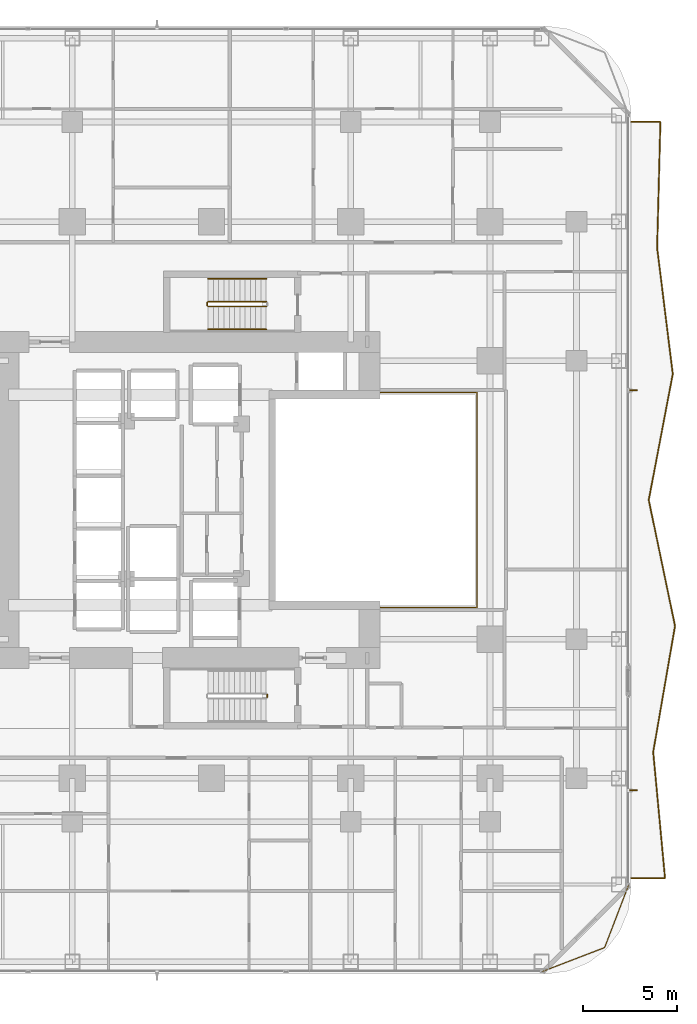
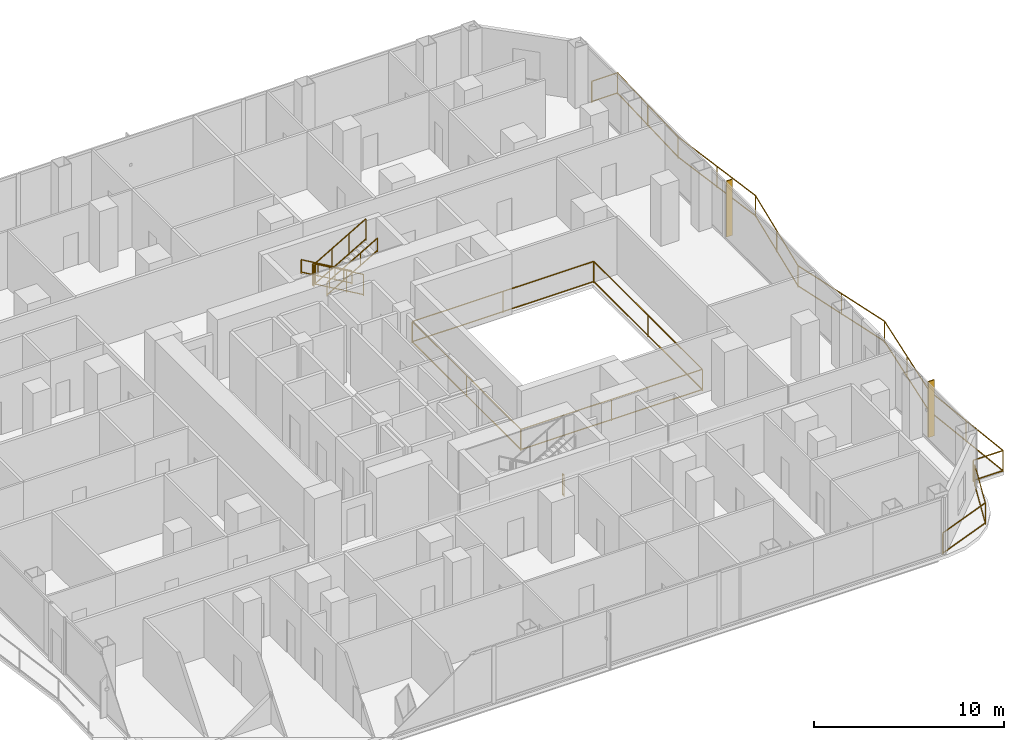
# One storey, part 28 of 30: 9 railings, 2 shading devices.
"""IFC4 building model written with IfcOpenShell, lengths in metres."""

from ifc_helpers import new_model, si_unit, direction, frame, origin, origin_2d, place, context, subcontext, project, spatial, rectangle, extrude, material, layer, layer_set, type_object, element, save


model = new_model("IFC4")

# Units and contexts
model_context = context("Model", 3, precision=1e-05, world=origin(), true_north=direction((0.0, 1.0)))
body_context = subcontext(model_context, "Body", "Model", "MODEL_VIEW")
ifc_project = project(units=[si_unit("LENGTHUNIT", "METRE"), si_unit("AREAUNIT", "SQUARE_METRE"), si_unit("VOLUMEUNIT", "CUBIC_METRE"), si_unit("PLANEANGLEUNIT", "RADIAN"), si_unit("MASSUNIT", "GRAM", prefix="KILO")], contexts=[model_context])

# Site, building, storey
site_placement = place(None, origin())
site = spatial("IfcSite", under=ifc_project, at=site_placement, CompositionType="ELEMENT")
building_placement = place(site_placement, origin())
building = spatial("IfcBuilding", under=site, at=building_placement, Name="Khorvyn Point Tower", CompositionType="ELEMENT")
storey_placement = place(building_placement, frame((0.0, 0.0, 57.89990234375)))
storey = spatial("IfcBuildingStorey", under=building, at=storey_placement, Name="L15", CompositionType="ELEMENT", Elevation=57.89990234375)

# Shading devices
ifc_material_1 = material(Name="Bronze anodised aluminium 6063-T6", Category="aluminium")
ifc_layer = layer(ifc_material_1, 0.06494140625)
ifc_layer_set = layer_set([ifc_layer], Name="Bronze Anodised Aluminium FIN 380x65")
shading_device_type = type_object("IfcShadingDeviceType", Name="Bronze Anodised Aluminium FIN 380x65", PredefinedType="USERDEFINED", material=ifc_layer_set)
for number, where, z_axis, x_axis, name in (
    (1, (22.429931640625, 5.83251953125, 0.0400390625), (0.0, 0.0, 1.0), (1.0, 0.0, 0.0), "L15 Anodised FIN 01"),
    (2, (22.429931640625, -15.4375, 0.0400390625), (0.0, 0.0, 1.0), (1.0, 0.0, 0.0), "L15 Anodised FIN 01"),
):
    element("IfcShadingDevice", number, at=place(storey_placement, frame(where, z_axis=z_axis, x_axis=x_axis)), inside=storey, type_object=shading_device_type, Name=name, ObjectType="FIN", PredefinedType="USERDEFINED", context=body_context, shape_type="SweptSolid", body=[
        extrude(rectangle(XDim=0.3798828125, YDim=0.06494140625, at=origin_2d()), origin(), (0.0, 0.0, 1.0), 3.60009765625),
    ])

# Railings
ifc_material_2 = material(Name="Stainless steel 1.4401 and laminated glass", Category="steel")
railing_type_1 = type_object("IfcRailingType", Name="Crystal Atrium Smoke-Rated Perimeter Guardrail 1400", PredefinedType="GUARDRAIL", material=ifc_material_2)
railing_1_placement = place(storey_placement, frame((3.080078125, -5.719970703125, 0.0)))
element("IfcRailing", 3, at=railing_1_placement, inside=storey, type_object=railing_type_1, Name="L15 Crystal Atrium Perimeter Guardrail", PredefinedType="GUARDRAIL", context=body_context, shape_type="SweptSolid", body=[
    extrude(rectangle(XDim=0.048095703125, YDim=0.048095703125, at=origin_2d()), frame((0.0, 0.0, 1.3759765625), z_axis=(1.0, 0.0, 0.0), x_axis=(0.0, 1.0, 0.0)), (0.0, 0.0, 1.0), 11.0400390625),
    extrude(rectangle(XDim=0.048095703125, YDim=0.048095703125, at=origin_2d()), frame((0.0, 0.0, 0.080078125), z_axis=(1.0, 0.0, 0.0), x_axis=(0.0, 1.0, 0.0)), (0.0, 0.0, 1.0), 11.0400390625),
    extrude(rectangle(XDim=0.048095703125, YDim=0.048095703125, at=origin_2d()), frame((11.0400390625, 0.0, 1.3759765625), z_axis=(0.0, 1.0, 0.0), x_axis=(-1.0, 0.0, 0.0)), (0.0, 0.0, 1.0), 11.43994140625),
    extrude(rectangle(XDim=0.048095703125, YDim=0.048095703125, at=origin_2d()), frame((11.0400390625, 0.0, 0.080078125), z_axis=(0.0, 1.0, 0.0), x_axis=(-1.0, 0.0, 0.0)), (0.0, 0.0, 1.0), 11.43994140625),
    extrude(rectangle(XDim=0.048095703125, YDim=0.048095703125, at=origin_2d()), frame((11.0400390625, 11.43994140625, 1.3759765625), z_axis=(-1.0, 0.0, 0.0), x_axis=(0.0, -1.0, 0.0)), (0.0, 0.0, 1.0), 11.0400390625),
    extrude(rectangle(XDim=0.048095703125, YDim=0.048095703125, at=origin_2d()), frame((11.0400390625, 11.43994140625, 0.080078125), z_axis=(-1.0, 0.0, 0.0), x_axis=(0.0, -1.0, 0.0)), (0.0, 0.0, 1.0), 11.0400390625),
    extrude(rectangle(XDim=0.048095703125, YDim=0.048095703125, at=origin_2d()), frame((0.0, 11.43994140625, 1.3759765625), z_axis=(0.0, -1.0, 0.0), x_axis=(1.0, 0.0, 0.0)), (0.0, 0.0, 1.0), 11.409912109375),
    extrude(rectangle(XDim=0.048095703125, YDim=0.048095703125, at=origin_2d()), frame((0.0, 11.43994140625, 0.080078125), z_axis=(0.0, -1.0, 0.0), x_axis=(1.0, 0.0, 0.0)), (0.0, 0.0, 1.0), 11.409912109375),
    extrude(rectangle(XDim=0.0419921875, YDim=0.0419921875, at=origin_2d()), origin(), (0.0, 0.0, 1.0), 1.351806640625),
    extrude(rectangle(XDim=0.0419921875, YDim=0.0419921875, at=origin_2d()), frame((5.52001953125, 0.0, 0.0)), (0.0, 0.0, 1.0), 1.351806640625),
    extrude(rectangle(XDim=0.0419921875, YDim=0.0419921875, at=origin_2d()), frame((11.0400390625, 0.0, 0.0)), (0.0, 0.0, 1.0), 1.351806640625),
    extrude(rectangle(XDim=0.0419921875, YDim=0.0419921875, at=origin_2d()), frame((11.0400390625, 5.719970703125, 0.0)), (0.0, 0.0, 1.0), 1.351806640625),
    extrude(rectangle(XDim=0.0419921875, YDim=0.0419921875, at=origin_2d()), frame((11.0400390625, 11.43994140625, 0.0)), (0.0, 0.0, 1.0), 1.351806640625),
    extrude(rectangle(XDim=0.0419921875, YDim=0.0419921875, at=origin_2d()), frame((5.52001953125, 11.43994140625, 0.0)), (0.0, 0.0, 1.0), 1.351806640625),
    extrude(rectangle(XDim=0.0419921875, YDim=0.0419921875, at=origin_2d()), frame((0.0, 11.43994140625, 0.0)), (0.0, 0.0, 1.0), 1.351806640625),
    extrude(rectangle(XDim=0.0419921875, YDim=0.0419921875, at=origin_2d()), frame((0.0, 5.73486328125, 0.0)), (0.0, 0.0, 1.0), 1.351806640625),
    extrude(rectangle(XDim=0.0419921875, YDim=0.0419921875, at=origin_2d()), frame((0.0, 0.030029296875, 0.0)), (0.0, 0.0, 1.0), 1.351806640625),
])
ifc_material_3 = material(Name="Anodised aluminium 6063-T6 and laminated safety glass", Category="aluminium")
railing_type_2 = type_object("IfcRailingType", Name="Laminated Glass and Aluminium Balcony Guardrail 1400", PredefinedType="BALUSTRADE", material=ifc_material_3)
railing_2_placement = place(storey_placement, frame((17.57080078125, -25.073974609375, 0.0)))
element("IfcRailing", 4, at=railing_2_placement, inside=storey, type_object=railing_type_2, Name="L15 Rounded Corner Edge Guardrail SE", PredefinedType="BALUSTRADE", context=body_context, shape_type="SweptSolid", body=[
    extrude(rectangle(XDim=0.048095703125, YDim=0.048095703125, at=origin_2d()), frame((0.0, 0.0, 1.3759765625), z_axis=(0.933583807283, 0.358359142172, 0.0), x_axis=(-0.358359142172, 0.933583807283, 0.0)), (0.0, 0.0, 1.0), 3.56298828125),
    extrude(rectangle(XDim=0.048095703125, YDim=0.048095703125, at=origin_2d()), frame((0.0, 0.0, 0.080078125), z_axis=(0.933583807283, 0.358359142172, 0.0), x_axis=(-0.358359142172, 0.933583807283, 0.0)), (0.0, 0.0, 1.0), 3.56298828125),
    extrude(rectangle(XDim=0.048095703125, YDim=0.048095703125, at=origin_2d()), frame((3.326416015625, 1.27685546875, 1.3759765625), z_axis=(0.358359142172, 0.933583807283, 0.0), x_axis=(-0.933583807283, 0.358359142172, 0.0)), (0.0, 0.0, 1.0), 3.56298828125),
    extrude(rectangle(XDim=0.048095703125, YDim=0.048095703125, at=origin_2d()), frame((3.326416015625, 1.27685546875, 0.080078125), z_axis=(0.358359142172, 0.933583807283, 0.0), x_axis=(-0.933583807283, 0.358359142172, 0.0)), (0.0, 0.0, 1.0), 3.56298828125),
    extrude(rectangle(XDim=0.0419921875, YDim=0.0419921875, at=origin_2d()), origin(), (0.0, 0.0, 1.0), 1.351806640625),
    extrude(rectangle(XDim=0.0419921875, YDim=0.0419921875, at=origin_2d()), frame((3.326416015625, 1.27685546875, 0.0)), (0.0, 0.0, 1.0), 1.351806640625),
    extrude(rectangle(XDim=0.0419921875, YDim=0.0419921875, at=origin_2d()), frame((4.603271484375, 4.603271484375, 0.0)), (0.0, 0.0, 1.0), 1.351806640625),
])
railing_3_placement = place(storey_placement, frame((22.300048828125, -20.10009765625, 0.0)))
element("IfcRailing", 5, at=railing_3_placement, inside=storey, type_object=railing_type_2, Name="L15 East Balcony Guardrail", PredefinedType="BALUSTRADE", context=body_context, shape_type="SweptSolid", body=[
    extrude(rectangle(XDim=0.048095703125, YDim=0.048095703125, at=origin_2d()), frame((0.0, 0.0, 1.3759765625), z_axis=(1.0, 0.0, 0.0), x_axis=(0.0, 1.0, 0.0)), (0.0, 0.0, 1.0), 1.80810546875),
    extrude(rectangle(XDim=0.048095703125, YDim=0.048095703125, at=origin_2d()), frame((0.0, 0.0, 0.080078125), z_axis=(1.0, 0.0, 0.0), x_axis=(0.0, 1.0, 0.0)), (0.0, 0.0, 1.0), 1.80810546875),
    extrude(rectangle(XDim=0.048095703125, YDim=0.048095703125, at=origin_2d()), frame((1.80810546875, 0.0, 1.3759765625), z_axis=(-0.093417128562, 0.995627058738, 0.0), x_axis=(-0.995627058738, -0.093417128562, 0.0)), (0.0, 0.0, 1.0), 6.729736328125),
    extrude(rectangle(XDim=0.048095703125, YDim=0.048095703125, at=origin_2d()), frame((1.80810546875, 0.0, 0.080078125), z_axis=(-0.093417128562, 0.995627058738, 0.0), x_axis=(-0.995627058738, -0.093417128562, 0.0)), (0.0, 0.0, 1.0), 6.729736328125),
    extrude(rectangle(XDim=0.048095703125, YDim=0.048095703125, at=origin_2d()), frame((1.179443359375, 6.7001953125, 1.3759765625), z_axis=(0.170794159587, 0.985306731455, 0.0), x_axis=(-0.985306731455, 0.170794159587, 0.0)), (0.0, 0.0, 1.0), 6.7998046875),
    extrude(rectangle(XDim=0.048095703125, YDim=0.048095703125, at=origin_2d()), frame((1.179443359375, 6.7001953125, 0.080078125), z_axis=(0.170794159587, 0.985306731455, 0.0), x_axis=(-0.985306731455, 0.170794159587, 0.0)), (0.0, 0.0, 1.0), 6.7998046875),
    extrude(rectangle(XDim=0.048095703125, YDim=0.048095703125, at=origin_2d()), frame((2.3408203125, 13.400146484375, 1.3759765625), z_axis=(-0.204251957778, 0.978918350908, 0.0), x_axis=(-0.978918350908, -0.204251957778, 0.0)), (0.0, 0.0, 1.0), 6.84423828125),
    extrude(rectangle(XDim=0.048095703125, YDim=0.048095703125, at=origin_2d()), frame((2.3408203125, 13.400146484375, 0.080078125), z_axis=(-0.204251957778, 0.978918350908, 0.0), x_axis=(-0.978918350908, -0.204251957778, 0.0)), (0.0, 0.0, 1.0), 6.84423828125),
    extrude(rectangle(XDim=0.048095703125, YDim=0.048095703125, at=origin_2d()), frame((0.94287109375, 20.10009765625, 1.3759765625), z_axis=(0.187380201477, 0.982287463065, 0.0), x_axis=(-0.982287463065, 0.187380201477, 0.0)), (0.0, 0.0, 1.0), 6.82080078125),
    extrude(rectangle(XDim=0.048095703125, YDim=0.048095703125, at=origin_2d()), frame((0.94287109375, 20.10009765625, 0.080078125), z_axis=(0.187380201477, 0.982287463065, 0.0), x_axis=(-0.982287463065, 0.187380201477, 0.0)), (0.0, 0.0, 1.0), 6.82080078125),
    extrude(rectangle(XDim=0.048095703125, YDim=0.048095703125, at=origin_2d()), frame((2.220947265625, 26.800048828125, 1.3759765625), z_axis=(-0.123273643235, 0.992372716717, 0.0), x_axis=(-0.992372716717, -0.123273643235, 0.0)), (0.0, 0.0, 1.0), 6.75146484375),
    extrude(rectangle(XDim=0.048095703125, YDim=0.048095703125, at=origin_2d()), frame((2.220947265625, 26.800048828125, 0.080078125), z_axis=(-0.123273643235, 0.992372716717, 0.0), x_axis=(-0.992372716717, -0.123273643235, 0.0)), (0.0, 0.0, 1.0), 6.75146484375),
    extrude(rectangle(XDim=0.048095703125, YDim=0.048095703125, at=origin_2d()), frame((1.388671875, 33.5, 1.3759765625), z_axis=(0.025971414337, 0.999662685928, 0.0), x_axis=(-0.999662685928, 0.025971414337, 0.0)), (0.0, 0.0, 1.0), 6.702392578125),
    extrude(rectangle(XDim=0.048095703125, YDim=0.048095703125, at=origin_2d()), frame((1.388671875, 33.5, 0.080078125), z_axis=(0.025971414337, 0.999662685928, 0.0), x_axis=(-0.999662685928, 0.025971414337, 0.0)), (0.0, 0.0, 1.0), 6.702392578125),
    extrude(rectangle(XDim=0.048095703125, YDim=0.048095703125, at=origin_2d()), frame((1.562744140625, 40.2001953125, 1.3759765625), z_axis=(-1.0, 0.0, 0.0), x_axis=(0.0, -1.0, 0.0)), (0.0, 0.0, 1.0), 1.562744140625),
    extrude(rectangle(XDim=0.048095703125, YDim=0.048095703125, at=origin_2d()), frame((1.562744140625, 40.2001953125, 0.080078125), z_axis=(-1.0, 0.0, 0.0), x_axis=(0.0, -1.0, 0.0)), (0.0, 0.0, 1.0), 1.562744140625),
    extrude(rectangle(XDim=0.0419921875, YDim=0.0419921875, at=origin_2d()), origin(), (0.0, 0.0, 1.0), 1.351806640625),
    extrude(rectangle(XDim=0.0419921875, YDim=0.0419921875, at=origin_2d()), frame((1.80810546875, 0.0, 0.0)), (0.0, 0.0, 1.0), 1.351806640625),
    extrude(rectangle(XDim=0.0419921875, YDim=0.0419921875, at=origin_2d()), frame((1.49365234375, 3.35009765625, 0.0)), (0.0, 0.0, 1.0), 1.351806640625),
    extrude(rectangle(XDim=0.0419921875, YDim=0.0419921875, at=origin_2d()), frame((1.179443359375, 6.7001953125, 0.0)), (0.0, 0.0, 1.0), 1.351806640625),
    extrude(rectangle(XDim=0.0419921875, YDim=0.0419921875, at=origin_2d()), frame((1.76025390625, 10.05029296875, 0.0)), (0.0, 0.0, 1.0), 1.351806640625),
    extrude(rectangle(XDim=0.0419921875, YDim=0.0419921875, at=origin_2d()), frame((2.3408203125, 13.400146484375, 0.0)), (0.0, 0.0, 1.0), 1.351806640625),
    extrude(rectangle(XDim=0.0419921875, YDim=0.0419921875, at=origin_2d()), frame((1.641845703125, 16.75, 0.0)), (0.0, 0.0, 1.0), 1.351806640625),
    extrude(rectangle(XDim=0.0419921875, YDim=0.0419921875, at=origin_2d()), frame((0.94287109375, 20.10009765625, 0.0)), (0.0, 0.0, 1.0), 1.351806640625),
    extrude(rectangle(XDim=0.0419921875, YDim=0.0419921875, at=origin_2d()), frame((1.58203125, 23.4501953125, 0.0)), (0.0, 0.0, 1.0), 1.351806640625),
    extrude(rectangle(XDim=0.0419921875, YDim=0.0419921875, at=origin_2d()), frame((2.220947265625, 26.800048828125, 0.0)), (0.0, 0.0, 1.0), 1.351806640625),
    extrude(rectangle(XDim=0.0419921875, YDim=0.0419921875, at=origin_2d()), frame((1.8046875, 30.14990234375, 0.0)), (0.0, 0.0, 1.0), 1.351806640625),
    extrude(rectangle(XDim=0.0419921875, YDim=0.0419921875, at=origin_2d()), frame((1.388671875, 33.5, 0.0)), (0.0, 0.0, 1.0), 1.351806640625),
    extrude(rectangle(XDim=0.0419921875, YDim=0.0419921875, at=origin_2d()), frame((1.4755859375, 36.85009765625, 0.0)), (0.0, 0.0, 1.0), 1.351806640625),
    extrude(rectangle(XDim=0.0419921875, YDim=0.0419921875, at=origin_2d()), frame((1.562744140625, 40.2001953125, 0.0)), (0.0, 0.0, 1.0), 1.351806640625),
    extrude(rectangle(XDim=0.0419921875, YDim=0.0419921875, at=origin_2d()), frame((0.0, 40.2001953125, 0.0)), (0.0, 0.0, 1.0), 1.351806640625),
])
ifc_material_4 = material(Name="Stainless steel 1.4301", Category="steel")
railing_type_3 = type_object("IfcRailingType", Name="Stainless Steel 304 Stair Pitch Handrail 900", PredefinedType="HANDRAIL", material=ifc_material_4)
railing_4_placement = place(storey_placement, frame((2.89990234375, 11.77001953125, 0.16259765625)))
element("IfcRailing", 6, at=railing_4_placement, inside=storey, type_object=railing_type_3, Name="L15 ST-02 stair handrail 1", PredefinedType="HANDRAIL", context=body_context, shape_type="SweptSolid", body=[
    extrude(rectangle(XDim=0.048095703125, YDim=0.048095703125, at=origin_2d()), frame((0.0, 0.0, 0.8759765625), z_axis=(-0.864873446163, 0.0, 0.501989962173), x_axis=(0.0, -1.0, 0.0)), (0.0, 0.0, 1.0), 3.56103515625),
    extrude(rectangle(XDim=0.048095703125, YDim=0.048095703125, at=origin_2d()), frame((0.0, 0.0, 0.080078125), z_axis=(-0.864873446163, 0.0, 0.501989962173), x_axis=(0.0, -1.0, 0.0)), (0.0, 0.0, 1.0), 3.56103515625),
    extrude(rectangle(XDim=0.0419921875, YDim=0.0419921875, at=origin_2d()), origin(), (0.0, 0.0, 1.0), 0.851806640625),
    extrude(rectangle(XDim=0.0419921875, YDim=0.0419921875, at=origin_2d()), frame((-1.026611328125, 0.0, 0.595947265625)), (0.0, 0.0, 1.0), 0.851806640625),
    extrude(rectangle(XDim=0.0419921875, YDim=0.0419921875, at=origin_2d()), frame((-2.05322265625, 0.0, 1.191650390625)), (0.0, 0.0, 1.0), 0.851806640625),
    extrude(rectangle(XDim=0.0419921875, YDim=0.0419921875, at=origin_2d()), frame((-3.079833984375, 0.0, 1.78759765625)), (0.0, 0.0, 1.0), 0.851806640625),
])
railing_5_placement = place(storey_placement, frame((-0.179931640625, 9.070068359375, 2.112548828125)))
element("IfcRailing", 7, at=railing_5_placement, inside=storey, type_object=railing_type_3, Name="L15 ST-02 stair handrail 2", PredefinedType="HANDRAIL", context=body_context, shape_type="SweptSolid", body=[
    extrude(rectangle(XDim=0.048095703125, YDim=0.048095703125, at=origin_2d()), frame((0.0, 0.0, 0.8759765625), z_axis=(0.864873446163, 0.0, 0.501989962173), x_axis=(0.0, 1.0, 0.0)), (0.0, 0.0, 1.0), 3.56103515625),
    extrude(rectangle(XDim=0.048095703125, YDim=0.048095703125, at=origin_2d()), frame((0.0, 0.0, 0.080078125), z_axis=(0.864873446163, 0.0, 0.501989962173), x_axis=(0.0, 1.0, 0.0)), (0.0, 0.0, 1.0), 3.56103515625),
    extrude(rectangle(XDim=0.0419921875, YDim=0.0419921875, at=origin_2d()), origin(), (0.0, 0.0, 1.0), 0.851806640625),
    extrude(rectangle(XDim=0.0419921875, YDim=0.0419921875, at=origin_2d()), frame((1.026611328125, 0.0, 0.595947265625)), (0.0, 0.0, 1.0), 0.851806640625),
    extrude(rectangle(XDim=0.0419921875, YDim=0.0419921875, at=origin_2d()), frame((2.05322265625, 0.0, 1.191650390625)), (0.0, 0.0, 1.0), 0.851806640625),
    extrude(rectangle(XDim=0.0419921875, YDim=0.0419921875, at=origin_2d()), frame((3.079833984375, 0.0, 1.78759765625)), (0.0, 0.0, 1.0), 0.851806640625),
])
railing_type_4 = type_object("IfcRailingType", Name="Stainless Steel 304 Stair Well Guardrail 1400", PredefinedType="GUARDRAIL", material=ifc_material_4)
railing_6_placement = place(storey_placement, frame((2.949951171875, -10.340087890625, 0.0)))
element("IfcRailing", 8, at=railing_6_placement, inside=storey, type_object=railing_type_4, Name="L15 ST-01 stair guard 4", PredefinedType="GUARDRAIL", context=body_context, shape_type="SweptSolid", body=[
    extrude(rectangle(XDim=0.048095703125, YDim=0.048095703125, at=origin_2d()), frame((0.0, 0.0, 1.3759765625), z_axis=(0.0, -1.0, 0.0), x_axis=(1.0, 0.0, 0.0)), (0.0, 0.0, 1.0), 0.159912109375),
    extrude(rectangle(XDim=0.048095703125, YDim=0.048095703125, at=origin_2d()), frame((0.0, 0.0, 0.080078125), z_axis=(0.0, -1.0, 0.0), x_axis=(1.0, 0.0, 0.0)), (0.0, 0.0, 1.0), 0.159912109375),
    extrude(rectangle(XDim=0.0419921875, YDim=0.0419921875, at=origin_2d()), origin(), (0.0, 0.0, 1.0), 1.351806640625),
    extrude(rectangle(XDim=0.0419921875, YDim=0.0419921875, at=origin_2d()), frame((0.0, -0.159912109375, 0.0)), (0.0, 0.0, 1.0), 1.351806640625),
])
railing_7_placement = place(storey_placement, frame((2.89990234375, 10.550048828125, 0.16259765625)))
element("IfcRailing", 9, at=railing_7_placement, inside=storey, type_object=railing_type_4, Name="L15 ST-02 stair guard 1", PredefinedType="GUARDRAIL", context=body_context, shape_type="SweptSolid", body=[
    extrude(rectangle(XDim=0.048095703125, YDim=0.048095703125, at=origin_2d()), frame((0.0, 0.0, 1.3759765625), z_axis=(-0.864873446163, 0.0, 0.501989962173), x_axis=(0.0, -1.0, 0.0)), (0.0, 0.0, 1.0), 3.56103515625),
    extrude(rectangle(XDim=0.048095703125, YDim=0.048095703125, at=origin_2d()), frame((0.0, 0.0, 0.080078125), z_axis=(-0.864873446163, 0.0, 0.501989962173), x_axis=(0.0, -1.0, 0.0)), (0.0, 0.0, 1.0), 3.56103515625),
    extrude(rectangle(XDim=0.0419921875, YDim=0.0419921875, at=origin_2d()), origin(), (0.0, 0.0, 1.0), 1.351806640625),
    extrude(rectangle(XDim=0.0419921875, YDim=0.0419921875, at=origin_2d()), frame((-1.026611328125, 0.0, 0.595947265625)), (0.0, 0.0, 1.0), 1.351806640625),
    extrude(rectangle(XDim=0.0419921875, YDim=0.0419921875, at=origin_2d()), frame((-2.05322265625, 0.0, 1.191650390625)), (0.0, 0.0, 1.0), 1.351806640625),
    extrude(rectangle(XDim=0.0419921875, YDim=0.0419921875, at=origin_2d()), frame((-3.079833984375, 0.0, 1.78759765625)), (0.0, 0.0, 1.0), 1.351806640625),
])
railing_8_placement = place(storey_placement, frame((-0.22998046875, 10.5, 1.9501953125)))
element("IfcRailing", 10, at=railing_8_placement, inside=storey, type_object=railing_type_4, Name="L15 ST-02 stair guard 2", PredefinedType="GUARDRAIL", context=body_context, shape_type="SweptSolid", body=[
    extrude(rectangle(XDim=0.048095703125, YDim=0.048095703125, at=origin_2d()), frame((0.0, 0.0, 1.3759765625), z_axis=(0.0, -1.0, 0.0), x_axis=(1.0, 0.0, 0.0)), (0.0, 0.0, 1.0), 0.159912109375),
    extrude(rectangle(XDim=0.048095703125, YDim=0.048095703125, at=origin_2d()), frame((0.0, 0.0, 0.080078125), z_axis=(0.0, -1.0, 0.0), x_axis=(1.0, 0.0, 0.0)), (0.0, 0.0, 1.0), 0.159912109375),
    extrude(rectangle(XDim=0.0419921875, YDim=0.0419921875, at=origin_2d()), origin(), (0.0, 0.0, 1.0), 1.351806640625),
    extrude(rectangle(XDim=0.0419921875, YDim=0.0419921875, at=origin_2d()), frame((0.0, -0.159912109375, 0.0)), (0.0, 0.0, 1.0), 1.351806640625),
])
railing_9_placement = place(storey_placement, frame((-0.179931640625, 10.2900390625, 2.112548828125)))
element("IfcRailing", 11, at=railing_9_placement, inside=storey, type_object=railing_type_4, Name="L15 ST-02 stair guard 3", PredefinedType="GUARDRAIL", context=body_context, shape_type="SweptSolid", body=[
    extrude(rectangle(XDim=0.048095703125, YDim=0.048095703125, at=origin_2d()), frame((0.0, 0.0, 1.3759765625), z_axis=(0.864873446163, 0.0, 0.501989962173), x_axis=(0.0, 1.0, 0.0)), (0.0, 0.0, 1.0), 3.56103515625),
    extrude(rectangle(XDim=0.048095703125, YDim=0.048095703125, at=origin_2d()), frame((0.0, 0.0, 0.080078125), z_axis=(0.864873446163, 0.0, 0.501989962173), x_axis=(0.0, 1.0, 0.0)), (0.0, 0.0, 1.0), 3.56103515625),
    extrude(rectangle(XDim=0.0419921875, YDim=0.0419921875, at=origin_2d()), origin(), (0.0, 0.0, 1.0), 1.351806640625),
    extrude(rectangle(XDim=0.0419921875, YDim=0.0419921875, at=origin_2d()), frame((1.026611328125, 0.0, 0.595947265625)), (0.0, 0.0, 1.0), 1.351806640625),
    extrude(rectangle(XDim=0.0419921875, YDim=0.0419921875, at=origin_2d()), frame((2.05322265625, 0.0, 1.191650390625)), (0.0, 0.0, 1.0), 1.351806640625),
    extrude(rectangle(XDim=0.0419921875, YDim=0.0419921875, at=origin_2d()), frame((3.079833984375, 0.0, 1.78759765625)), (0.0, 0.0, 1.0), 1.351806640625),
])

save(model, "model.ifc")
